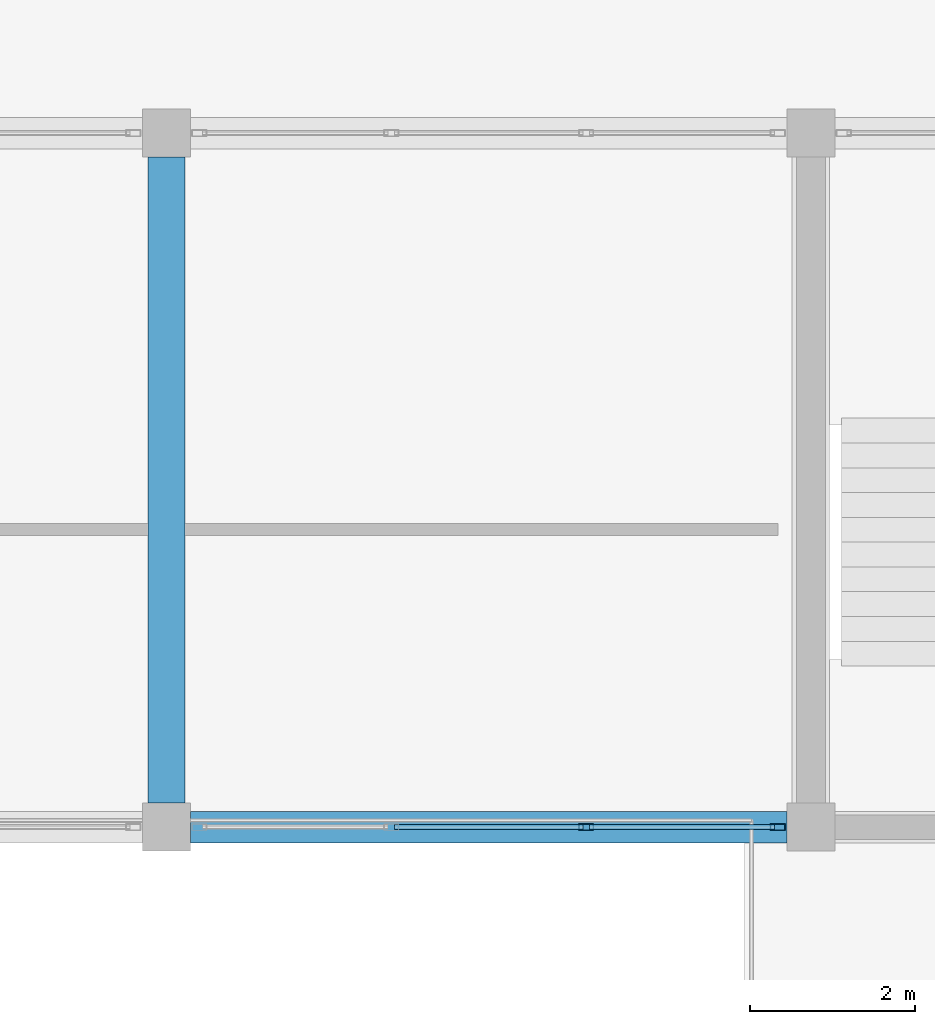
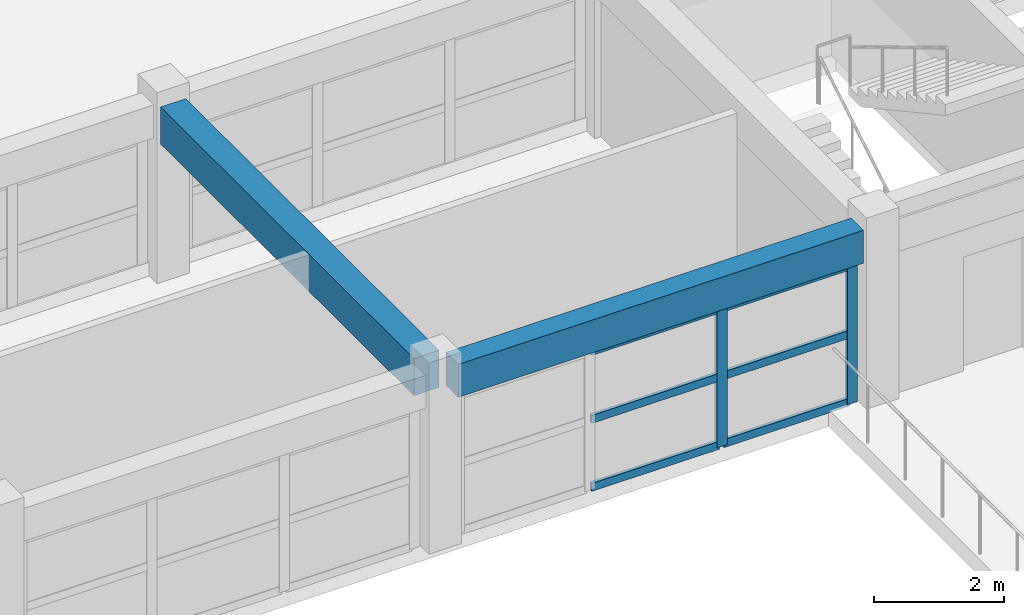
# One storey, part 70 of 101: 8 members, 2 beams, 1 element without a shape of its own.
"""IFC4 building model written with IfcOpenShell, lengths in metres."""

from ifc_helpers import new_model, si_unit, direction, frame, origin, origin_2d, place, context, subcontext, project, spatial, rectangle, hollow_rectangle, extrude, material, layer, layer_set, material_profile, profile_set, type_object, element, aggregate, save


model = new_model("IFC4")

# Units and contexts
model_context = context("Model", 3, precision=1e-05, world=origin(), true_north=direction((0.0, 1.0)))
body_context = subcontext(model_context, "Body", "Model", "MODEL_VIEW")
ifc_project = project(units=[si_unit("LENGTHUNIT", "METRE"), si_unit("AREAUNIT", "SQUARE_METRE"), si_unit("VOLUMEUNIT", "CUBIC_METRE"), si_unit("PLANEANGLEUNIT", "RADIAN"), si_unit("MASSUNIT", "GRAM", prefix="KILO")], contexts=[model_context])

# Site, building, storey
site_placement = place(None, origin())
site = spatial("IfcSite", under=ifc_project, at=site_placement, CompositionType="ELEMENT")
building_placement = place(site_placement, origin())
building = spatial("IfcBuilding", under=site, at=building_placement, Name="Zizhar Promenade General Hospital", CompositionType="ELEMENT")
storey_placement = place(building_placement, frame((0.0, 0.0, 14.39990234375)))
storey = spatial("IfcBuildingStorey", under=building, at=storey_placement, Name="L03", CompositionType="ELEMENT", Elevation=14.39990234375)

# Beams
ifc_material_1 = material(Name="Concrete C35/45", Category="concrete")
ifc_material_profile_1 = material_profile(ifc_material_1, rectangle(XDim=0.3798828125, YDim=0.6201171875, at=origin_2d()))
ifc_profile_set_1 = profile_set([ifc_material_profile_1], Name="Concrete C35/45")
beam_type_1 = type_object("IfcBeamType", Name="BM-RC-380x620", PredefinedType="JOIST", material=ifc_profile_set_1)
beam_1_placement = place(storey_placement, frame((164.090087890625, 92.39990234375, 3.0), z_axis=(1.0, 0.0, 0.0), x_axis=(0.0, 1.0, 0.0)))
element("IfcBeam", 1, at=beam_1_placement, inside=storey, type_object=beam_type_1, Name="Grid Beam X L03 (21-11)", PredefinedType="JOIST", context=body_context, shape_type="SweptSolid", body=[
    extrude(rectangle(XDim=0.3798828125, YDim=0.6201171875, at=origin_2d()), origin(), (0.0, 0.0, 1.0), 7.219970703125),
])
ifc_material_2 = material(Name="Concrete C35/45", Category="concrete")
ifc_material_profile_2 = material_profile(ifc_material_2, rectangle(XDim=0.449951171875, YDim=0.699951171875, at=origin_2d()))
ifc_profile_set_2 = profile_set([ifc_material_profile_2], Name="Concrete C35/45")
beam_type_2 = type_object("IfcBeamType", Name="BM-RC-450x700", PredefinedType="BEAM", material=ifc_profile_set_2)
beam_2_placement = place(storey_placement, frame((163.800048828125, 92.68994140625, 2.960205078125), z_axis=(0.0, 1.0, 0.0), x_axis=(-1.0, 0.0, 0.0)))
element("IfcBeam", 2, at=beam_2_placement, inside=storey, type_object=beam_type_2, Name="Grid Beam Y L03 (21-11)", PredefinedType="BEAM", context=body_context, shape_type="SweptSolid", body=[
    extrude(rectangle(XDim=0.449951171875, YDim=0.699951171875, at=origin_2d()), origin(), (0.0, 0.0, 1.0), 7.820068359375),
])

# Curtain wall, members
ifc_material_3 = material(Name="Anodised aluminium 6063-T6 and low-E glass", Category="aluminium")
ifc_layer = layer(ifc_material_3, 0.159912109375)
ifc_layer_set = layer_set([ifc_layer], Name="Anodised aluminium 6063-T6 and low-E glass")
curtain_wall_type = type_object("IfcCurtainWallType", Name="CW-CLN-CRT", PredefinedType="NOTDEFINED", material=ifc_layer_set)
curtain_wall_placement = place(storey_placement, origin())
curtain_wall = element("IfcCurtainWall", 3, at=curtain_wall_placement, inside=storey, type_object=curtain_wall_type, Name="East Light Court North Glazing L03-21", PredefinedType="NOTDEFINED")
ifc_material_4 = material(Name="Anodised aluminium 6063-T6", Category="aluminium")
ifc_material_profile_3 = material_profile(ifc_material_4, hollow_rectangle(XDim=0.080078125, YDim=0.179931640625, WallThickness=0.0048828125, at=origin_2d()))
ifc_profile_set_3 = profile_set([ifc_material_profile_3], Name="Anodised aluminium 6063-T6")
member_type_1 = type_object("IfcMemberType", Name="CWM-ALU-180x80", PredefinedType="MULLION", material=ifc_profile_set_3)
member_1_placement = place(storey_placement, frame((171.199951171875, 92.39990234375, 0.0), z_axis=(0.0, 0.0, 1.0), x_axis=(0.0, -1.0, 0.0)))
member_1 = element("IfcMember", 4, at=member_1_placement, type_object=member_type_1, Name="CW-10 mullion 1", PredefinedType="MULLION", context=body_context, shape_type="SweptSolid", body=[
    extrude(hollow_rectangle(XDim=0.080078125, YDim=0.179931640625, WallThickness=0.0048828125, at=origin_2d()), origin(), (0.0, 0.0, 1.0), 2.6201171875),
])
member_2_placement = place(storey_placement, frame((168.8798828125, 92.39990234375, 0.0), z_axis=(0.0, 0.0, 1.0), x_axis=(0.0, -1.0, 0.0)))
member_2 = element("IfcMember", 5, at=member_2_placement, type_object=member_type_1, Name="CW-10 mullion 2", PredefinedType="MULLION", context=body_context, shape_type="SweptSolid", body=[
    extrude(hollow_rectangle(XDim=0.080078125, YDim=0.179931640625, WallThickness=0.0048828125, at=origin_2d()), origin(), (0.0, 0.0, 1.0), 2.6201171875),
])
ifc_material_5 = material(Name="Anodised aluminium 6063-T6", Category="aluminium")
ifc_material_profile_4 = material_profile(ifc_material_5, hollow_rectangle(XDim=0.06005859375, YDim=0.14990234375, WallThickness=0.00390625, at=origin_2d()))
ifc_profile_set_4 = profile_set([ifc_material_profile_4], Name="Anodised aluminium 6063-T6")
member_type_2 = type_object("IfcMemberType", Name="CWT-ALU-150x60", PredefinedType="USERDEFINED", material=ifc_profile_set_4)
member_3_placement = place(storey_placement, frame((171.159912109375, 92.39990234375, 0.030029296875), z_axis=(-1.0, 0.0, 0.0), x_axis=(0.0, -1.0, 0.0)))
member_3 = element("IfcMember", 6, at=member_3_placement, type_object=member_type_2, Name="CW-10 transom 1.1", ObjectType="TRANSOM", PredefinedType="USERDEFINED", context=body_context, shape_type="SweptSolid", body=[
    extrude(hollow_rectangle(XDim=0.06005859375, YDim=0.14990234375, WallThickness=0.00390625, at=origin_2d()), origin(), (0.0, 0.0, 1.0), 2.239990234375),
])
member_4_placement = place(storey_placement, frame((171.159912109375, 92.39990234375, 1.31005859375), z_axis=(-1.0, 0.0, 0.0), x_axis=(0.0, -1.0, 0.0)))
member_4 = element("IfcMember", 7, at=member_4_placement, type_object=member_type_2, Name="CW-10 transom 1.2", ObjectType="TRANSOM", PredefinedType="USERDEFINED", context=body_context, shape_type="SweptSolid", body=[
    extrude(hollow_rectangle(XDim=0.06005859375, YDim=0.14990234375, WallThickness=0.00390625, at=origin_2d()), origin(), (0.0, 0.0, 1.0), 2.239990234375),
])
member_5_placement = place(storey_placement, frame((171.159912109375, 92.39990234375, 2.590087890625), z_axis=(-1.0, 0.0, 0.0), x_axis=(0.0, -1.0, 0.0)))
member_5 = element("IfcMember", 8, at=member_5_placement, type_object=member_type_2, Name="CW-10 transom 1.3", ObjectType="TRANSOM", PredefinedType="USERDEFINED", context=body_context, shape_type="SweptSolid", body=[
    extrude(hollow_rectangle(XDim=0.06005859375, YDim=0.14990234375, WallThickness=0.00390625, at=origin_2d()), origin(), (0.0, 0.0, 1.0), 2.239990234375),
])
member_6_placement = place(storey_placement, frame((168.840087890625, 92.39990234375, 0.030029296875), z_axis=(-1.0, 0.0, 0.0), x_axis=(0.0, -1.0, 0.0)))
member_6 = element("IfcMember", 9, at=member_6_placement, type_object=member_type_2, Name="CW-10 transom 2.1", ObjectType="TRANSOM", PredefinedType="USERDEFINED", context=body_context, shape_type="SweptSolid", body=[
    extrude(hollow_rectangle(XDim=0.06005859375, YDim=0.14990234375, WallThickness=0.00390625, at=origin_2d()), origin(), (0.0, 0.0, 1.0), 2.280029296875),
])
member_7_placement = place(storey_placement, frame((168.840087890625, 92.39990234375, 1.31005859375), z_axis=(-1.0, 0.0, 0.0), x_axis=(0.0, -1.0, 0.0)))
member_7 = element("IfcMember", 10, at=member_7_placement, type_object=member_type_2, Name="CW-10 transom 2.2", ObjectType="TRANSOM", PredefinedType="USERDEFINED", context=body_context, shape_type="SweptSolid", body=[
    extrude(hollow_rectangle(XDim=0.06005859375, YDim=0.14990234375, WallThickness=0.00390625, at=origin_2d()), origin(), (0.0, 0.0, 1.0), 2.280029296875),
])
member_8_placement = place(storey_placement, frame((168.840087890625, 92.39990234375, 2.590087890625), z_axis=(-1.0, 0.0, 0.0), x_axis=(0.0, -1.0, 0.0)))
member_8 = element("IfcMember", 11, at=member_8_placement, type_object=member_type_2, Name="CW-10 transom 2.3", ObjectType="TRANSOM", PredefinedType="USERDEFINED", context=body_context, shape_type="SweptSolid", body=[
    extrude(hollow_rectangle(XDim=0.06005859375, YDim=0.14990234375, WallThickness=0.00390625, at=origin_2d()), origin(), (0.0, 0.0, 1.0), 2.280029296875),
])
aggregate(curtain_wall, [member_1, member_2, member_3, member_4, member_5, member_6, member_7, member_8])

save(model, "model.ifc")
